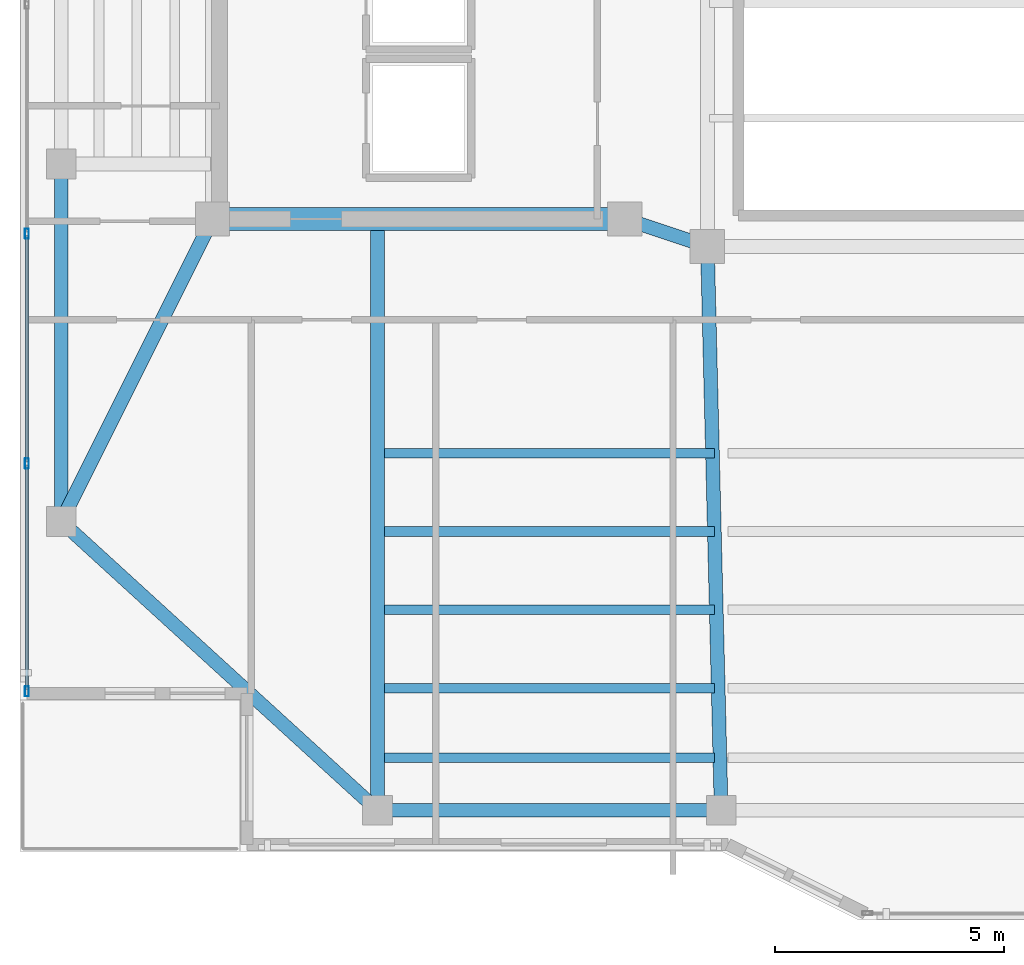
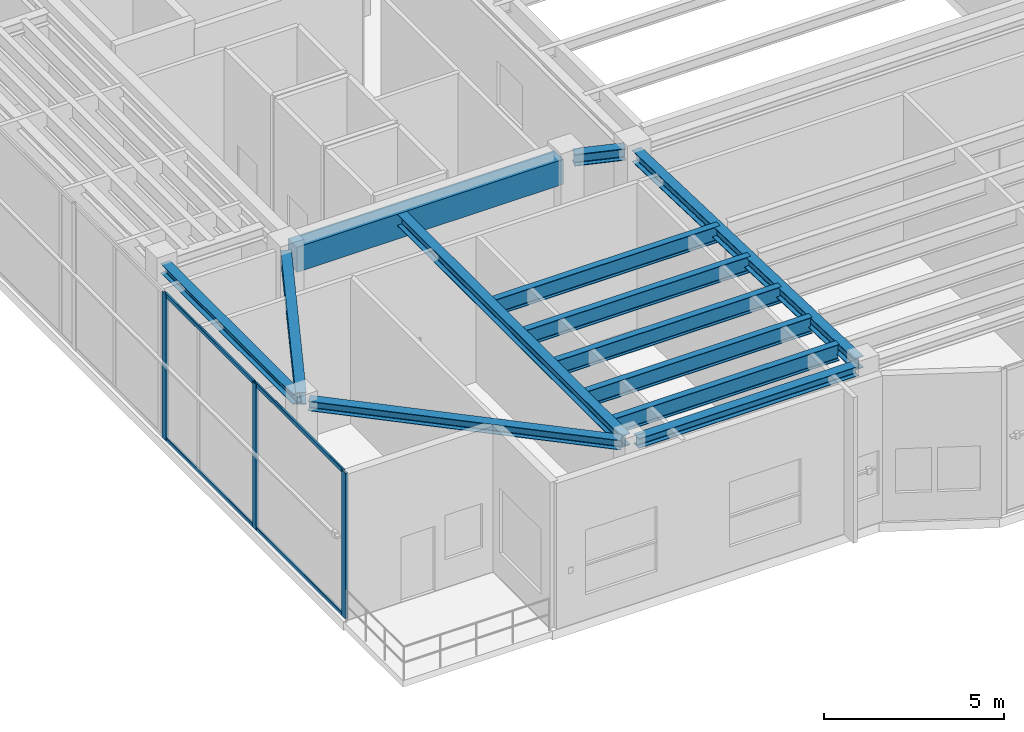
# One storey, part 2 of 23: 13 beams, 7 members, 1 element without a shape of its own.
"""IFC4 building model written with IfcOpenShell, lengths in metres."""

import ifcopenshell
import ifcopenshell.guid

model = None  # the IFC model being written
_history = None  # IfcOwnerHistory: only IFC2X3 demands one
_inside = {}  # id of a spatial element -> (the spatial element, [elements in it])
_under = {}  # id of a project, library or spatial element -> (it, [spatial elements below it])
_declared = {}  # id of a project -> (the project, [libraries it declares])
_typed = {}  # id of a type object -> (the type object, [elements of that type])
_made_of = {}  # id of a material, layer set ... -> (it, [elements and type objects made of it])


def new_model(schema):
    """Start an empty IFC model of exactly this schema.

    Asked for "IFC4X3", IfcOpenShell would pick the latest addendum, in which some entities
    have other attributes; the version numbers below select the first issue.
    IFC2X3 requires an IfcOwnerHistory on every rooted entity: one is made here for all.
    """
    global model, _history
    if schema == "IFC4X3":
        model = ifcopenshell.file(schema_version=(4, 3, 0, 0))
    else:
        model = ifcopenshell.file(schema=schema)
    _inside.clear()
    _under.clear()
    _declared.clear()
    _typed.clear()
    _made_of.clear()
    _history = None
    if model.schema == "IFC2X3":
        org = make("IfcOrganization", Name="unknown")
        user = make(
            "IfcPersonAndOrganization",
            ThePerson=make("IfcPerson", FamilyName="unknown"),
            TheOrganization=org,
        )
        app = make(
            "IfcApplication",
            ApplicationDeveloper=org,
            Version="unknown",
            ApplicationFullName="unknown",
            ApplicationIdentifier="unknown",
        )
        _history = make(
            "IfcOwnerHistory",
            OwningUser=user,
            OwningApplication=app,
            ChangeAction="ADDED",
            CreationDate=0,
        )
    return model


def make(cls, **values):
    """One entity of the class cls with the attributes given. An attribute that is None is left unset."""
    return model.create_entity(
        cls, **{name: value for name, value in values.items() if value is not None}
    )


def rooted(cls, **values):
    """An entity with a GlobalId (a new one), such as an element, a storey or a relation."""
    return make(cls, GlobalId=ifcopenshell.guid.new(), OwnerHistory=_history, **values)


def si_unit(unit_type, name, prefix=None):
    """IfcSIUnit, for example si_unit("LENGTHUNIT", "METRE", prefix="MILLI")."""
    return make("IfcSIUnit", UnitType=unit_type, Prefix=prefix, Name=name)


def assignment(units):
    """IfcUnitAssignment: the units of a project."""
    return None if units is None else make("IfcUnitAssignment", Units=units)


def point(xyz):
    """IfcCartesianPoint."""
    return None if xyz is None else make("IfcCartesianPoint", Coordinates=xyz)


def direction(xyz):
    """IfcDirection."""
    return None if xyz is None else make("IfcDirection", DirectionRatios=xyz)


def frame(location, z_axis=None, x_axis=None):
    """IfcAxis2Placement3D, a coordinate frame: its origin and axes. An axis left out is left unset."""
    return make(
        "IfcAxis2Placement3D",
        Location=point(location),
        Axis=direction(z_axis),
        RefDirection=direction(x_axis),
    )


def frame_2d(location, x_axis=None):
    """IfcAxis2Placement2D, a coordinate frame in the plane: its origin and x axis."""
    return make(
        "IfcAxis2Placement2D", Location=point(location), RefDirection=direction(x_axis)
    )


def origin():
    """The frame at (0, 0, 0) with its axes left unset."""
    return frame((0.0, 0.0, 0.0))


def origin_2d():
    """The frame at (0, 0) in the plane with its x axis left unset."""
    return frame_2d((0.0, 0.0))


def place(relative_to, where):
    """IfcLocalPlacement: puts the frame where relative to a parent placement (None: the world)."""
    return make(
        "IfcLocalPlacement", PlacementRelTo=relative_to, RelativePlacement=where
    )


def context(
    kind, dimensions, precision=None, world=None, true_north=None, identifier=None
):
    """IfcGeometricRepresentationContext, for example the 3D "Model" context."""
    return make(
        "IfcGeometricRepresentationContext",
        ContextIdentifier=identifier,
        ContextType=kind,
        CoordinateSpaceDimension=dimensions,
        Precision=precision,
        WorldCoordinateSystem=world,
        TrueNorth=true_north,
    )


def subcontext(parent, identifier, kind, view, scale=None):
    """IfcGeometricRepresentationSubContext, for example "Body" below "Model"."""
    return make(
        "IfcGeometricRepresentationSubContext",
        ContextIdentifier=identifier,
        ContextType=kind,
        ParentContext=parent,
        TargetScale=scale,
        TargetView=view,
    )


def project(units=None, contexts=None):
    """IfcProject with its units and contexts."""
    return rooted(
        "IfcProject",
        Name="project",
        RepresentationContexts=contexts,
        UnitsInContext=assignment(units),
    )


def spatial(cls, under=None, at=None, **own):
    """A site, building, storey or space (cls), placed at a placement, below another one or the project."""
    s = rooted(cls, ObjectPlacement=at, **own)
    if under is not None:
        _under.setdefault(under.id(), (under, []))[1].append(s)
    return s


def profile(cls, at=None, kind="AREA", **sizes):
    """A parametric profile (cls). Its sizes go by their IFC names, for example OverallWidth=200.0."""
    return make(cls, ProfileType=kind, Position=at, **sizes)


def rectangle(**sizes):
    """IfcRectangleProfileDef."""
    return profile("IfcRectangleProfileDef", **sizes)


def hollow_rectangle(**sizes):
    """IfcRectangleHollowProfileDef."""
    return profile("IfcRectangleHollowProfileDef", **sizes)


def i_section(**sizes):
    """IfcIShapeProfileDef."""
    return profile("IfcIShapeProfileDef", **sizes)


def extrude(swept, where, along, depth):
    """IfcExtrudedAreaSolid: the profile swept, set in the frame where, extruded along a direction by depth."""
    return make(
        "IfcExtrudedAreaSolid",
        SweptArea=swept,
        Position=where,
        ExtrudedDirection=direction(along),
        Depth=depth,
    )


def shape(context_of_items, identifier, shape_type, items):
    """IfcShapeRepresentation: the items that make up one representation, for example the "Body"."""
    return make(
        "IfcShapeRepresentation",
        ContextOfItems=context_of_items,
        RepresentationIdentifier=identifier,
        RepresentationType=shape_type,
        Items=items,
    )


def material(Name=None, Category=None):
    """IfcMaterial."""
    return make("IfcMaterial", Name=Name, Category=Category)


def layer(
    of_material, thickness, ventilated=None, Name=None, Category=None, Priority=None
):
    """IfcMaterialLayer: one layer of a wall or slab, of a material (None: an air gap)."""
    return make(
        "IfcMaterialLayer",
        Material=of_material,
        LayerThickness=thickness,
        IsVentilated=ventilated,
        Name=Name,
        Category=Category,
        Priority=Priority,
    )


def layer_set(layers, Name=None):
    """IfcMaterialLayerSet."""
    return make("IfcMaterialLayerSet", MaterialLayers=layers, LayerSetName=Name)


def material_profile(
    of_material, cross_section, Name=None, Category=None, Priority=None
):
    """IfcMaterialProfile: a cross section and its material."""
    return make(
        "IfcMaterialProfile",
        Name=Name,
        Material=of_material,
        Profile=cross_section,
        Priority=Priority,
        Category=Category,
    )


def profile_set(profiles, Name=None, composite=None):
    """IfcMaterialProfileSet."""
    return make(
        "IfcMaterialProfileSet",
        Name=Name,
        MaterialProfiles=profiles,
        CompositeProfile=composite,
    )


def made_of(thing, what):
    """Note that an element or type object is made of a material, layer set ...; save() writes the relation."""
    if what is not None:
        _made_of.setdefault(what.id(), (what, []))[1].append(thing)
    return thing


def type_object(cls, material=None, **own):
    """A type object (cls), such as IfcWallType, which elements share."""
    return made_of(rooted(cls, **own), material)


def element(
    cls,
    number,
    at=None,
    inside=None,
    cuts=None,
    type_object=None,
    material=None,
    context=None,
    identifier="Body",
    shape_type=None,
    held_by="IfcProductDefinitionShape",
    body=None,
    shapes=None,
    **own,
):
    """One element of the class cls, such as IfcWall. Its Tag is "e" and its number.

    at: its placement. inside: the storey or other place that contains it. cuts: it is an
    opening in that element (IfcRelVoidsElement). A single representation is given by context,
    identifier, shape_type and body (its items); several are given by shapes. held_by: the class
    of the entity that holds the representations. save() writes the other relations.
    """
    e = rooted(cls, Tag="e%d" % number, ObjectPlacement=at, **own)
    if body is not None:
        shapes = [shape(context, identifier, shape_type, body)]
    if shapes is not None:
        e.Representation = make(held_by, Representations=shapes)
    if inside is not None:
        _inside.setdefault(inside.id(), (inside, []))[1].append(e)
    if cuts is not None:
        rooted(
            "IfcRelVoidsElement", RelatingBuildingElement=cuts, RelatedOpeningElement=e
        )
    if type_object is not None:
        _typed.setdefault(type_object.id(), (type_object, []))[1].append(e)
    return made_of(e, material)


def aggregate(whole, parts):
    """IfcRelAggregates: a whole, such as a stair, and the parts it consists of."""
    return rooted("IfcRelAggregates", RelatingObject=whole, RelatedObjects=parts)


def save(model, path):
    """Write the relations noted so far, then the file.

    IfcRelAggregates (storeys below a building ...), IfcRelContainedInSpatialStructure (elements
    in a storey), IfcRelDefinesByType, IfcRelAssociatesMaterial and IfcRelDeclares: one each for
    every whole, place, type object, material and project.
    """
    for whole, parts in _under.values():
        aggregate(whole, parts)
    for where, things in _inside.values():
        rooted(
            "IfcRelContainedInSpatialStructure",
            RelatedElements=things,
            RelatingStructure=where,
        )
    for kind, things in _typed.values():
        rooted("IfcRelDefinesByType", RelatedObjects=things, RelatingType=kind)
    for what, things in _made_of.values():
        rooted("IfcRelAssociatesMaterial", RelatedObjects=things, RelatingMaterial=what)
    for by, libraries in _declared.values():
        rooted("IfcRelDeclares", RelatingContext=by, RelatedDefinitions=libraries)
    model.write(path)


model = new_model("IFC4")

# Units and contexts
model_context = context("Model", 3, precision=1e-05, world=origin(), true_north=direction((0.0, 1.0)))
body_context = subcontext(model_context, "Body", "Model", "MODEL_VIEW")
ifc_project = project(units=[si_unit("LENGTHUNIT", "METRE"), si_unit("AREAUNIT", "SQUARE_METRE"), si_unit("VOLUMEUNIT", "CUBIC_METRE"), si_unit("PLANEANGLEUNIT", "RADIAN"), si_unit("MASSUNIT", "GRAM", prefix="KILO")], contexts=[model_context])

# Site, building, storey
site_placement = place(None, origin())
site = spatial("IfcSite", under=ifc_project, at=site_placement, CompositionType="ELEMENT")
building_placement = place(site_placement, origin())
building = spatial("IfcBuilding", under=site, at=building_placement, Name="Tarnavaz Court Tower", CompositionType="ELEMENT")
storey_placement = place(building_placement, frame((0.0, 0.0, 276.300048828125)))
storey = spatial("IfcBuildingStorey", under=building, at=storey_placement, Name="L75", CompositionType="ELEMENT", Elevation=276.300048828125)

# Beams
ifc_material_1 = material(Name="Concrete C50/60", Category="concrete")
ifc_material_profile_1 = material_profile(ifc_material_1, rectangle(XDim=0.5, YDim=0.85009765625, at=origin_2d()), Name="RC 500X850")
ifc_profile_set_1 = profile_set([ifc_material_profile_1], Name="Concrete C50/60")
beam_type_1 = type_object("IfcBeamType", Name="BM-CB850", PredefinedType="LINTEL", material=ifc_profile_set_1)
beam_1_placement = place(storey_placement, frame((-18.3798828125, -7.199951171875, 4.52490234375), z_axis=(1.0, 0.0, 0.0), x_axis=(0.0, 1.0, 0.0)))
element("IfcBeam", 1, at=beam_1_placement, inside=storey, type_object=beam_type_1, Name="L75 Beam IN-CW-SO-CW-SI", PredefinedType="LINTEL", context=body_context, shape_type="SweptSolid", body=[
    extrude(rectangle(XDim=0.5, YDim=0.85009765625, at=origin_2d()), origin(), (0.0, 0.0, 1.0), 8.559814453125),
])
ifc_material_2 = material(Name="Steel S355", Category="steel")
ifc_material_profile_2 = material_profile(ifc_material_2, i_section(OverallWidth=0.300048828125, OverallDepth=0.39990234375, WebThickness=0.013427734375, FlangeThickness=0.02392578125, FilletRadius=0.027099609375, at=origin_2d()), Name="HEB 400")
ifc_profile_set_2 = profile_set([ifc_material_profile_2], Name="Steel S355")
beam_type_2 = type_object("IfcBeamType", Name="BM-G-HEB400", PredefinedType="USERDEFINED", material=ifc_profile_set_2)
beam_2_placement = place(storey_placement, frame((-9.391357421875, -7.26953125, 4.75), z_axis=(0.948666544706, -0.316278021615, 0.0), x_axis=(0.316278021615, 0.948666544706, 0.0)))
element("IfcBeam", 2, at=beam_2_placement, inside=storey, type_object=beam_type_2, Name="L75 Beam IN-CW-SI-IW-SW", ObjectType="GIRDER", PredefinedType="USERDEFINED", context=body_context, shape_type="SweptSolid", body=[
    extrude(i_section(OverallWidth=0.300048828125, OverallDepth=0.39990234375, WebThickness=0.013427734375, FlangeThickness=0.02392578125, FilletRadius=0.027099609375, at=origin_2d()), origin(), (0.0, 0.0, 1.0), 1.457275390625),
])
beam_3_placement = place(storey_placement, frame((-15.0, -7.239990234375, 4.75), z_axis=(0.0, -1.0, 0.0), x_axis=(1.0, 0.0, 0.0)))
element("IfcBeam", 3, at=beam_3_placement, inside=storey, type_object=beam_type_2, Name="L75 Beam RG-05", ObjectType="GIRDER", PredefinedType="USERDEFINED", context=body_context, shape_type="SweptSolid", body=[
    extrude(i_section(OverallWidth=0.300048828125, OverallDepth=0.39990234375, WebThickness=0.013427734375, FlangeThickness=0.02392578125, FilletRadius=0.027099609375, at=origin_2d()), origin(), (0.0, 0.0, 1.0), 12.639892578125),
])
beam_4_placement = place(storey_placement, frame((-7.794677734375, -8.02001953125, 4.75), z_axis=(0.024386002211, -0.99970261723, 0.0), x_axis=(0.99970261723, 0.024386002211, 0.0)))
element("IfcBeam", 4, at=beam_4_placement, inside=storey, type_object=beam_type_2, Name="L75 Beam RG-06", ObjectType="GIRDER", PredefinedType="USERDEFINED", context=body_context, shape_type="SweptSolid", body=[
    extrude(i_section(OverallWidth=0.300048828125, OverallDepth=0.39990234375, WebThickness=0.013427734375, FlangeThickness=0.02392578125, FilletRadius=0.027099609375, at=origin_2d()), origin(), (0.0, 0.0, 1.0), 11.863525390625),
])
beam_5_placement = place(storey_placement, frame((-18.698486328125, -7.396728515625, 4.75), z_axis=(-0.447185448279, -0.894441264057, 0.0), x_axis=(0.894441264057, -0.447185448279, 0.0)))
element("IfcBeam", 5, at=beam_5_placement, inside=storey, type_object=beam_type_2, Name="L75 Beam RG-15", ObjectType="GIRDER", PredefinedType="USERDEFINED", context=body_context, shape_type="SweptSolid", body=[
    extrude(i_section(OverallWidth=0.300048828125, OverallDepth=0.39990234375, WebThickness=0.013427734375, FlangeThickness=0.02392578125, FilletRadius=0.027099609375, at=origin_2d()), origin(), (0.0, 0.0, 1.0), 6.93896484375),
])
ifc_material_profile_3 = material_profile(ifc_material_2, i_section(OverallWidth=0.2099609375, OverallDepth=0.550048828125, WebThickness=0.010986328125, FlangeThickness=0.01708984375, FilletRadius=0.02392578125, at=origin_2d()), Name="IPE 550")
ifc_profile_set_3 = profile_set([ifc_material_profile_3], Name="Steel S355")
beam_type_3 = type_object("IfcBeamType", Name="BM-J-IPE550", PredefinedType="JOIST", material=ifc_profile_set_3)
for number, where, z_axis, x_axis, name in (
    (6, (-14.85009765625, -12.31005859375, 4.675048828125), (1.0, 0.0, 0.0), (0.0, 1.0, 0.0), "L75 Beam JS1-1"),
    (7, (-14.85009765625, -14.02001953125, 4.675048828125), (1.0, 0.0, 0.0), (0.0, 1.0, 0.0), "L75 Beam JS2-1"),
    (8, (-14.85009765625, -15.72998046875, 4.675048828125), (1.0, 0.0, 0.0), (0.0, 1.0, 0.0), "L75 Beam JS3-1"),
    (9, (-14.85009765625, -17.43994140625, 4.675048828125), (1.0, 0.0, 0.0), (0.0, 1.0, 0.0), "L75 Beam JS4-1"),
    (10, (-14.85009765625, -18.9599609375, 4.675048828125), (1.0, 0.0, 0.0), (0.0, 1.0, 0.0), "L75 Beam JS5-1"),
):
    element("IfcBeam", number, at=place(storey_placement, frame(where, z_axis=z_axis, x_axis=x_axis)), inside=storey, type_object=beam_type_3, Name=name, PredefinedType="JOIST", context=body_context, shape_type="SweptSolid", body=[
        extrude(i_section(OverallWidth=0.2099609375, OverallDepth=0.550048828125, WebThickness=0.010986328125, FlangeThickness=0.01708984375, FilletRadius=0.02392578125, at=origin_2d()), origin(), (0.0, 0.0, 1.0), 7.2001953125),
    ])
ifc_material_profile_4 = material_profile(ifc_material_2, i_section(OverallWidth=0.300048828125, OverallDepth=0.330078125, WebThickness=0.009521484375, FlangeThickness=0.0166015625, FilletRadius=0.027099609375, at=origin_2d()), Name="HEA 340")
ifc_profile_set_4 = profile_set([ifc_material_profile_4], Name="Steel S355")
beam_type_4 = type_object("IfcBeamType", Name="BM-SP-HEA340", PredefinedType="BEAM", material=ifc_profile_set_4)
beam_6_placement = place(storey_placement, frame((-14.780029296875, -20.10009765625, 4.784912109375), z_axis=(1.0, 0.0, 0.0), x_axis=(0.0, 1.0, 0.0)))
element("IfcBeam", 11, at=beam_6_placement, inside=storey, type_object=beam_type_4, Name="L75 Beam PR-PS-1-PS-2", PredefinedType="BEAM", context=body_context, shape_type="SweptSolid", body=[
    extrude(i_section(OverallWidth=0.300048828125, OverallDepth=0.330078125, WebThickness=0.009521484375, FlangeThickness=0.0166015625, FilletRadius=0.027099609375, at=origin_2d()), origin(), (0.0, 0.0, 1.0), 7.06005859375),
])
beam_7_placement = place(storey_placement, frame((-21.89990234375, -13.580078125, 4.784912109375), z_axis=(0.0, 1.0, 0.0), x_axis=(-1.0, 0.0, 0.0)))
element("IfcBeam", 12, at=beam_7_placement, inside=storey, type_object=beam_type_4, Name="L75 Beam PR-PW-1-PW-2", PredefinedType="BEAM", context=body_context, shape_type="SweptSolid", body=[
    extrude(i_section(OverallWidth=0.300048828125, OverallDepth=0.330078125, WebThickness=0.009521484375, FlangeThickness=0.0166015625, FilletRadius=0.027099609375, at=origin_2d()), origin(), (0.0, 0.0, 1.0), 7.360107421875),
])
beam_8_placement = place(storey_placement, frame((-15.16259765625, -19.95166015625, 4.784912109375), z_axis=(-0.738474214476, 0.674281717499, 0.0), x_axis=(-0.674281717499, -0.738474214476, 0.0)))
element("IfcBeam", 13, at=beam_8_placement, inside=storey, type_object=beam_type_4, Name="L75 Beam PR-PS-1-PW-1", PredefinedType="BEAM", context=body_context, shape_type="SweptSolid", body=[
    extrude(i_section(OverallWidth=0.300048828125, OverallDepth=0.330078125, WebThickness=0.009521484375, FlangeThickness=0.0166015625, FilletRadius=0.027099609375, at=origin_2d()), origin(), (0.0, 0.0, 1.0), 8.9033203125),
])

# Curtain wall, members
ifc_material_3 = material(Name="Anodised Aluminium 6063-T6 and Solar Low-E Glazing", Category="aluminium")
ifc_layer = layer(ifc_material_3, 0.2099609375)
ifc_layer_set = layer_set([ifc_layer], Name="Anodised Aluminium 6063-T6 and Solar Low-E Glazing")
curtain_wall_type = type_object("IfcCurtainWallType", Name="CW-SYS-06", PredefinedType="NOTDEFINED", material=ifc_layer_set)
curtain_wall_placement = place(storey_placement, origin())
curtain_wall = element("IfcCurtainWall", 14, at=curtain_wall_placement, inside=storey, type_object=curtain_wall_type, Name="L75 Observation Curtain Wall 2", PredefinedType="NOTDEFINED")
ifc_material_4 = material(Name="Anodised Aluminium 6063-T6", Category="aluminium")
ifc_material_profile_5 = material_profile(ifc_material_4, hollow_rectangle(XDim=0.0849609375, YDim=0.219970703125, WallThickness=0.006103515625, InnerFilletRadius=0.006103515625, OuterFilletRadius=0.011962890625, at=origin_2d()), Name="ALU RHS 220X85X6")
ifc_profile_set_5 = profile_set([ifc_material_profile_5], Name="Anodised Aluminium 6063-T6")
member_type_1 = type_object("IfcMemberType", Name="CW-MUL-220", PredefinedType="MULLION", material=ifc_profile_set_5)
member_1_placement = place(storey_placement, frame((-22.64990234375, -17.507568359375, 0.0), z_axis=(0.0, 0.0, 1.0), x_axis=(-1.0, 0.0, 0.0)))
member_1 = element("IfcMember", 15, at=member_1_placement, type_object=member_type_1, Name="CW mullion 1", PredefinedType="MULLION", context=body_context, shape_type="SweptSolid", body=[
    extrude(hollow_rectangle(XDim=0.0849609375, YDim=0.219970703125, WallThickness=0.006103515625, InnerFilletRadius=0.006103515625, OuterFilletRadius=0.011962890625, at=origin_2d()), origin(), (0.0, 0.0, 1.0), 4.949951171875),
])
member_2_placement = place(storey_placement, frame((-22.64990234375, -12.53564453125, 0.0), z_axis=(0.0, 0.0, 1.0), x_axis=(-1.0, 0.0, 0.0)))
member_2 = element("IfcMember", 16, at=member_2_placement, type_object=member_type_1, Name="CW mullion 2", PredefinedType="MULLION", context=body_context, shape_type="SweptSolid", body=[
    extrude(hollow_rectangle(XDim=0.0849609375, YDim=0.219970703125, WallThickness=0.006103515625, InnerFilletRadius=0.006103515625, OuterFilletRadius=0.011962890625, at=origin_2d()), origin(), (0.0, 0.0, 1.0), 4.949951171875),
])
member_3_placement = place(storey_placement, frame((-22.64990234375, -7.521484375, 0.0), z_axis=(0.0, 0.0, 1.0), x_axis=(-1.0, 0.0, 0.0)))
member_3 = element("IfcMember", 17, at=member_3_placement, type_object=member_type_1, Name="CW mullion 3", PredefinedType="MULLION", context=body_context, shape_type="SweptSolid", body=[
    extrude(hollow_rectangle(XDim=0.0849609375, YDim=0.219970703125, WallThickness=0.006103515625, InnerFilletRadius=0.006103515625, OuterFilletRadius=0.011962890625, at=origin_2d()), origin(), (0.0, 0.0, 1.0), 4.949951171875),
])
ifc_material_profile_6 = material_profile(ifc_material_4, hollow_rectangle(XDim=0.06494140625, YDim=0.139892578125, WallThickness=0.00390625, InnerFilletRadius=0.00390625, OuterFilletRadius=0.008056640625, at=origin_2d()), Name="ALU RHS 140X65X4")
ifc_profile_set_6 = profile_set([ifc_material_profile_6], Name="Anodised Aluminium 6063-T6")
member_type_2 = type_object("IfcMemberType", Name="CW-TRN-140", PredefinedType="USERDEFINED", material=ifc_profile_set_6)
member_4_placement = place(storey_placement, frame((-22.64990234375, -17.465087890625, 0.032470703125), z_axis=(0.0, 1.0, 0.0), x_axis=(-1.0, 0.0, 0.0)))
member_4 = element("IfcMember", 18, at=member_4_placement, type_object=member_type_2, Name="CW transom 1.1", ObjectType="TRANSOM", PredefinedType="USERDEFINED", context=body_context, shape_type="SweptSolid", body=[
    extrude(hollow_rectangle(XDim=0.06494140625, YDim=0.139892578125, WallThickness=0.00390625, InnerFilletRadius=0.00390625, OuterFilletRadius=0.008056640625, at=origin_2d()), origin(), (0.0, 0.0, 1.0), 4.886962890625),
])
member_5_placement = place(storey_placement, frame((-22.64990234375, -17.465087890625, 4.91748046875), z_axis=(0.0, 1.0, 0.0), x_axis=(-1.0, 0.0, 0.0)))
member_5 = element("IfcMember", 19, at=member_5_placement, type_object=member_type_2, Name="CW transom 1.2", ObjectType="TRANSOM", PredefinedType="USERDEFINED", context=body_context, shape_type="SweptSolid", body=[
    extrude(hollow_rectangle(XDim=0.06494140625, YDim=0.139892578125, WallThickness=0.00390625, InnerFilletRadius=0.00390625, OuterFilletRadius=0.008056640625, at=origin_2d()), origin(), (0.0, 0.0, 1.0), 4.886962890625),
])
member_6_placement = place(storey_placement, frame((-22.64990234375, -12.4931640625, 0.032470703125), z_axis=(0.0, 1.0, 0.0), x_axis=(-1.0, 0.0, 0.0)))
member_6 = element("IfcMember", 20, at=member_6_placement, type_object=member_type_2, Name="CW transom 2.1", ObjectType="TRANSOM", PredefinedType="USERDEFINED", context=body_context, shape_type="SweptSolid", body=[
    extrude(hollow_rectangle(XDim=0.06494140625, YDim=0.139892578125, WallThickness=0.00390625, InnerFilletRadius=0.00390625, OuterFilletRadius=0.008056640625, at=origin_2d()), origin(), (0.0, 0.0, 1.0), 4.92919921875),
])
member_7_placement = place(storey_placement, frame((-22.64990234375, -12.4931640625, 4.91748046875), z_axis=(0.0, 1.0, 0.0), x_axis=(-1.0, 0.0, 0.0)))
member_7 = element("IfcMember", 21, at=member_7_placement, type_object=member_type_2, Name="CW transom 2.2", ObjectType="TRANSOM", PredefinedType="USERDEFINED", context=body_context, shape_type="SweptSolid", body=[
    extrude(hollow_rectangle(XDim=0.06494140625, YDim=0.139892578125, WallThickness=0.00390625, InnerFilletRadius=0.00390625, OuterFilletRadius=0.008056640625, at=origin_2d()), origin(), (0.0, 0.0, 1.0), 4.92919921875),
])
aggregate(curtain_wall, [member_1, member_2, member_3, member_4, member_5, member_6, member_7])

save(model, "model.ifc")
